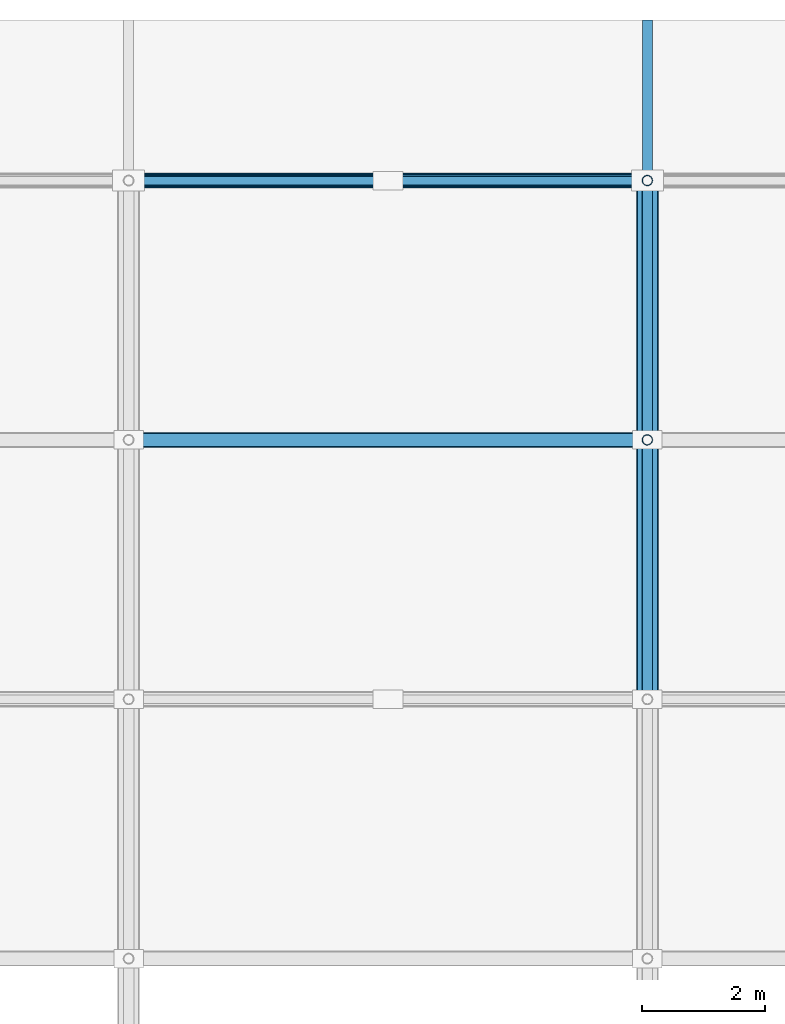
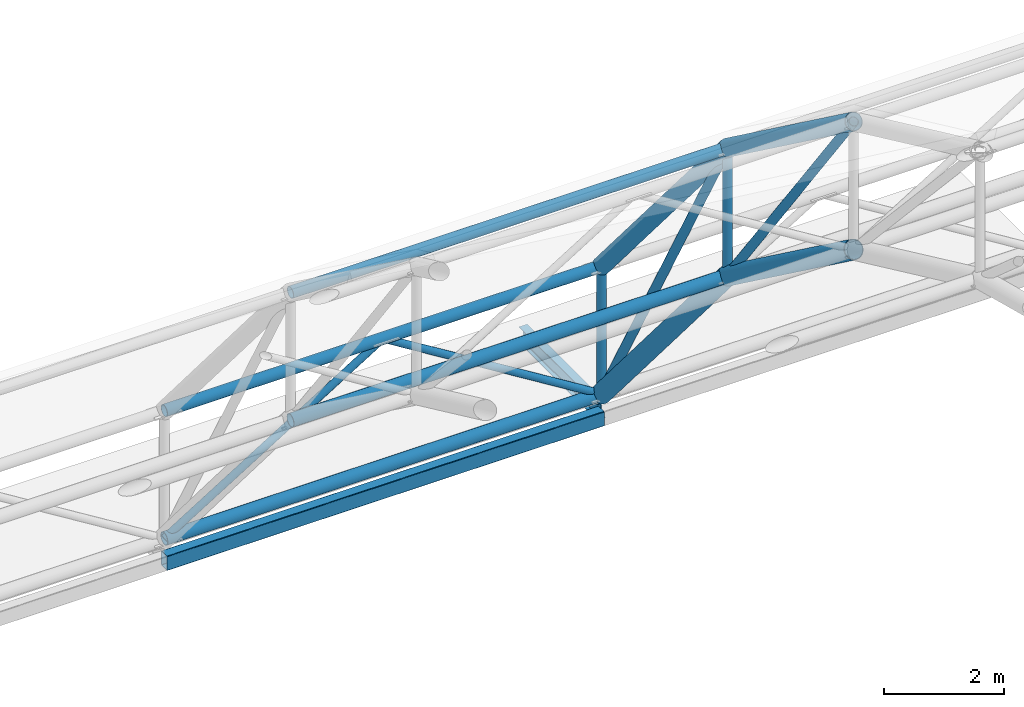
# One storey, part 51 of 103: 10 members, 6 beams.
"""IFC4 building model written with IfcOpenShell, lengths in metres."""

from ifc_helpers import new_model, si_unit, direction, frame, origin, origin_2d, place, context, subcontext, project, spatial, hollow_rectangle, hollow_circle, i_section, extrude, material, material_profile, profile_set, type_object, element, save


model = new_model("IFC4")

# Units and contexts
model_context = context("Model", 3, precision=1e-05, world=origin(), true_north=direction((0.0, 1.0)))
body_context = subcontext(model_context, "Body", "Model", "MODEL_VIEW")
ifc_project = project(units=[si_unit("LENGTHUNIT", "METRE"), si_unit("AREAUNIT", "SQUARE_METRE"), si_unit("VOLUMEUNIT", "CUBIC_METRE"), si_unit("PLANEANGLEUNIT", "RADIAN"), si_unit("MASSUNIT", "GRAM", prefix="KILO")], contexts=[model_context])

# Site, building, storey
site_placement = place(None, origin())
site = spatial("IfcSite", under=ifc_project, at=site_placement, CompositionType="ELEMENT")
building_placement = place(site_placement, origin())
building = spatial("IfcBuilding", under=site, at=building_placement, Name="Varnapada Polytechnic", CompositionType="ELEMENT")
storey_placement = place(building_placement, frame((0.0, 0.0, 18.0)))
storey = spatial("IfcBuildingStorey", under=building, at=storey_placement, Name="L04", CompositionType="ELEMENT", Elevation=18.0)

# Beam
ifc_material = material(Name="Steel S355", Category="steel")
ifc_material_profile_1 = material_profile(ifc_material, i_section(OverallWidth=0.159912109375, OverallDepth=0.330078125, WebThickness=0.007568359375, FlangeThickness=0.011474609375, FilletRadius=0.01806640625, at=origin_2d()), Name="IPE 330")
ifc_profile_set_1 = profile_set([ifc_material_profile_1], Name="Steel S355")
beam_type_1 = type_object("IfcBeamType", Name="Clerestory monitor steel rafter SB-07 (IPE 330)", PredefinedType="BEAM", material=ifc_profile_set_1)
beam_1_placement = place(storey_placement, frame((126.0, 126.0, -0.35009765625), z_axis=(0.0, 1.0, 0.0), x_axis=(-1.0, 0.0, 0.0)))
element("IfcBeam", 1, at=beam_1_placement, inside=storey, type_object=beam_type_1, Name="Workshop eave shade outlooker N.10", PredefinedType="BEAM", context=body_context, shape_type="SweptSolid", body=[
    extrude(i_section(OverallWidth=0.159912109375, OverallDepth=0.330078125, WebThickness=0.007568359375, FlangeThickness=0.011474609375, FilletRadius=0.01806640625, at=origin_2d()), origin(), (0.0, 0.0, 1.0), 2.60009765625),
])

# Members
ifc_material_profile_2 = material_profile(ifc_material, hollow_circle(Radius=0.122314453125, WallThickness=0.008056640625, at=origin_2d()), Name="CHS 244.5x8.0")
ifc_profile_set_2 = profile_set([ifc_material_profile_2], Name="Steel S355")
member_type_1 = type_object("IfcMemberType", Name="Vaulted space frame longitudinal bottom chord SFC-01 (CHS 244.5x8.0)", PredefinedType="CHORD", material=ifc_profile_set_2)
for number, where, z_axis, x_axis, name in (
    (2, (117.60009765625, 121.800048828125, 4.94921875), (1.0, 0.0, 0.0), (0.0, 1.0, 0.0), "Vaulted space frame longitudinal bottom chord 9.10"),
    (3, (117.60009765625, 126.0, 0.0), (1.0, 0.0, 0.0), (0.0, 1.0, 0.0), "Vaulted space frame longitudinal bottom chord 9.11"),
):
    element("IfcMember", number, at=place(storey_placement, frame(where, z_axis=z_axis, x_axis=x_axis)), inside=storey, type_object=member_type_1, Name=name, PredefinedType="CHORD", context=body_context, shape_type="SweptSolid", body=[
        extrude(hollow_circle(Radius=0.122314453125, WallThickness=0.008056640625, at=origin_2d()), origin(), (0.0, 0.0, 1.0), 8.39990234375),
    ])
ifc_material_profile_3 = material_profile(ifc_material, hollow_circle(Radius=0.109619140625, WallThickness=0.008056640625, at=origin_2d()), Name="CHS 219.1x8.0")
ifc_profile_set_3 = profile_set([ifc_material_profile_3], Name="Steel S355")
member_type_2 = type_object("IfcMemberType", Name="Vaulted space frame longitudinal top chord SFC-02 (CHS 219.1x8.0)", PredefinedType="CHORD", material=ifc_profile_set_3)
for number, where, z_axis, x_axis, name in (
    (4, (117.60009765625, 121.800048828125, 7.549072265625), (1.0, 0.0, 0.0), (0.0, 1.0, 0.0), "Vaulted space frame longitudinal top chord 9.10"),
    (5, (117.60009765625, 126.0, 2.60009765625), (1.0, 0.0, 0.0), (0.0, 1.0, 0.0), "Vaulted space frame longitudinal top chord 9.11"),
):
    element("IfcMember", number, at=place(storey_placement, frame(where, z_axis=z_axis, x_axis=x_axis)), inside=storey, type_object=member_type_2, Name=name, PredefinedType="CHORD", context=body_context, shape_type="SweptSolid", body=[
        extrude(hollow_circle(Radius=0.109619140625, WallThickness=0.008056640625, at=origin_2d()), origin(), (0.0, 0.0, 1.0), 8.39990234375),
    ])

# Beams
ifc_material_profile_4 = material_profile(ifc_material, hollow_circle(Radius=0.177734375, WallThickness=0.012451171875, at=origin_2d()), Name="CHS 355.6x12.5")
ifc_profile_set_4 = profile_set([ifc_material_profile_4], Name="Steel S355")
beam_type_2 = type_object("IfcBeamType", Name="Vaulted space frame primary arch rib VA-01 (CHS 355.6x12.5)", PredefinedType="BEAM", material=ifc_profile_set_4)
beam_2_placement = place(storey_placement, frame((126.0, 117.60009765625, 8.02783203125), z_axis=(0.0, 0.806528689778, -0.591194953095), x_axis=(-1.0, 0.0, 0.0)))
element("IfcBeam", 6, at=beam_2_placement, inside=storey, type_object=beam_type_2, Name="Vaulted space frame bottom arch chord 10.9", PredefinedType="BEAM", context=body_context, shape_type="SweptSolid", body=[
    extrude(hollow_circle(Radius=0.177734375, WallThickness=0.012451171875, at=origin_2d()), origin(), (0.0, 0.0, 1.0), 5.20751953125),
])
beam_3_placement = place(storey_placement, frame((126.0, 121.800048828125, 4.94921875), z_axis=(0.0, 0.647032448214, -0.762462465279), x_axis=(-1.0, 0.0, 0.0)))
element("IfcBeam", 7, at=beam_3_placement, inside=storey, type_object=beam_type_2, Name="Vaulted space frame bottom arch chord 10.10", PredefinedType="BEAM", context=body_context, shape_type="SweptSolid", body=[
    extrude(hollow_circle(Radius=0.177734375, WallThickness=0.012451171875, at=origin_2d()), origin(), (0.0, 0.0, 1.0), 6.4912109375),
])

# Members
ifc_material_profile_5 = material_profile(ifc_material, hollow_circle(Radius=0.084228515625, WallThickness=0.00634765625, at=origin_2d()), Name="CHS 168.3x6.3")
ifc_profile_set_5 = profile_set([ifc_material_profile_5], Name="Steel S355")
member_type_3 = type_object("IfcMemberType", Name="Vaulted space frame primary web diagonal SFB-01 (CHS 168.3x6.3)", PredefinedType="BRACE", material=ifc_profile_set_5)
member_1_placement = place(storey_placement, frame((126.0, 117.60009765625, 10.6279296875), z_axis=(0.0, 0.594633036041, -0.803997234105), x_axis=(-1.0, 0.0, 0.0)))
element("IfcMember", 8, at=member_1_placement, inside=storey, type_object=member_type_3, Name="Vaulted space frame web diagonal 10.9", PredefinedType="BRACE", context=body_context, shape_type="SweptSolid", body=[
    extrude(hollow_circle(Radius=0.084228515625, WallThickness=0.00634765625, at=origin_2d()), origin(), (0.0, 0.0, 1.0), 7.06298828125),
])
member_2_placement = place(storey_placement, frame((126.0, 121.800048828125, 7.549072265625), z_axis=(0.0, 0.486175535898, -0.873861172209), x_axis=(-1.0, 0.0, 0.0)))
element("IfcMember", 9, at=member_2_placement, inside=storey, type_object=member_type_3, Name="Vaulted space frame web diagonal 10.10", PredefinedType="BRACE", context=body_context, shape_type="SweptSolid", body=[
    extrude(hollow_circle(Radius=0.084228515625, WallThickness=0.00634765625, at=origin_2d()), origin(), (0.0, 0.0, 1.0), 8.638671875),
])
ifc_material_profile_6 = material_profile(ifc_material, hollow_circle(Radius=0.084228515625, WallThickness=0.00634765625, at=origin_2d()), Name="CHS 168.3x6.3")
ifc_profile_set_6 = profile_set([ifc_material_profile_6], Name="Steel S355")
member_type_4 = type_object("IfcMemberType", Name="Vaulted space frame radial web strut SFS-01 (CHS 168.3x6.3)", PredefinedType="STRUT", material=ifc_profile_set_6)
member_3_placement = place(storey_placement, frame((126.0, 121.800048828125, 4.94921875), z_axis=(0.0, 0.0, 1.0), x_axis=(1.0, 0.0, 0.0)))
element("IfcMember", 10, at=member_3_placement, inside=storey, type_object=member_type_4, Name="Vaulted space frame strut 10.10", PredefinedType="STRUT", context=body_context, shape_type="SweptSolid", body=[
    extrude(hollow_circle(Radius=0.084228515625, WallThickness=0.00634765625, at=origin_2d()), origin(), (0.0, 0.0, 1.0), 2.599853515625),
])
member_4_placement = place(storey_placement, frame((126.0, 126.0, 0.0), z_axis=(0.0, 0.0, 1.0), x_axis=(1.0, 0.0, 0.0)))
element("IfcMember", 11, at=member_4_placement, inside=storey, type_object=member_type_4, Name="Vaulted space frame strut 10.11", PredefinedType="STRUT", context=body_context, shape_type="SweptSolid", body=[
    extrude(hollow_circle(Radius=0.084228515625, WallThickness=0.00634765625, at=origin_2d()), origin(), (0.0, 0.0, 1.0), 2.60009765625),
])
ifc_material_profile_7 = material_profile(ifc_material, hollow_circle(Radius=0.06982421875, WallThickness=0.0048828125, at=origin_2d()), Name="CHS 139.7x5.0")
ifc_profile_set_7 = profile_set([ifc_material_profile_7], Name="Steel S355")
member_type_5 = type_object("IfcMemberType", Name="Vaulted space frame secondary web diagonal SFB-02 (CHS 139.7x5.0)", PredefinedType="BRACE", material=ifc_profile_set_7)
for number, where, z_axis, x_axis, name in (
    (12, (117.60009765625, 126.0, 0.0), (0.85025356003, 0.0, 0.526373331065), (0.0, 1.0, 0.0), "Vaulted space frame longitudinal brace 9.11A"),
    (13, (126.0, 126.0, 0.0), (-0.85025356003, 0.0, 0.526373331065), (0.0, -1.0, 0.0), "Vaulted space frame longitudinal brace 9.11B"),
):
    element("IfcMember", number, at=place(storey_placement, frame(where, z_axis=z_axis, x_axis=x_axis)), inside=storey, type_object=member_type_5, Name=name, PredefinedType="BRACE", context=body_context, shape_type="SweptSolid", body=[
        extrude(hollow_circle(Radius=0.06982421875, WallThickness=0.0048828125, at=origin_2d()), origin(), (0.0, 0.0, 1.0), 4.939697265625),
    ])

# Beams
ifc_material_profile_8 = material_profile(ifc_material, hollow_circle(Radius=0.161865234375, WallThickness=0.010009765625, at=origin_2d()), Name="CHS 323.9x10.0")
ifc_profile_set_8 = profile_set([ifc_material_profile_8], Name="Steel S355")
beam_type_3 = type_object("IfcBeamType", Name="Vaulted space frame upper arch rib VA-02 (CHS 323.9x10.0)", PredefinedType="BEAM", material=ifc_profile_set_8)
beam_4_placement = place(storey_placement, frame((126.0, 117.60009765625, 10.6279296875), z_axis=(0.0, 0.806506335259, -0.591225448698), x_axis=(-1.0, 0.0, 0.0)))
element("IfcBeam", 14, at=beam_4_placement, inside=storey, type_object=beam_type_3, Name="Vaulted space frame top arch chord 10.9", PredefinedType="BEAM", context=body_context, shape_type="SweptSolid", body=[
    extrude(hollow_circle(Radius=0.161865234375, WallThickness=0.010009765625, at=origin_2d()), origin(), (0.0, 0.0, 1.0), 5.20751953125),
])
beam_5_placement = place(storey_placement, frame((126.0, 121.800048828125, 7.549072265625), z_axis=(0.0, 0.647051003787, -0.762446718465), x_axis=(-1.0, 0.0, 0.0)))
element("IfcBeam", 15, at=beam_5_placement, inside=storey, type_object=beam_type_3, Name="Vaulted space frame top arch chord 10.10", PredefinedType="BEAM", context=body_context, shape_type="SweptSolid", body=[
    extrude(hollow_circle(Radius=0.161865234375, WallThickness=0.010009765625, at=origin_2d()), origin(), (0.0, 0.0, 1.0), 6.490966796875),
])
ifc_material_profile_9 = material_profile(ifc_material, hollow_rectangle(XDim=0.199951171875, YDim=0.300048828125, WallThickness=0.010009765625, InnerFilletRadius=0.010009765625, OuterFilletRadius=0.02001953125, at=origin_2d()), Name="RHS 300x200x10")
ifc_profile_set_9 = profile_set([ifc_material_profile_9], Name="Steel S355")
beam_type_4 = type_object("IfcBeamType", Name="Workshop steel spandrel tie SP-03 (RHS 300x200x10)", PredefinedType="SPANDREL", material=ifc_profile_set_9)
beam_6_placement = place(storey_placement, frame((117.60009765625, 126.0, -0.449951171875), z_axis=(1.0, 0.0, 0.0), x_axis=(0.0, 1.0, 0.0)))
element("IfcBeam", 16, at=beam_6_placement, inside=storey, type_object=beam_type_4, Name="L04 workshop clerestory tie X15-16 Y16", PredefinedType="SPANDREL", context=body_context, shape_type="SweptSolid", body=[
    extrude(hollow_rectangle(XDim=0.199951171875, YDim=0.300048828125, WallThickness=0.010009765625, InnerFilletRadius=0.010009765625, OuterFilletRadius=0.02001953125, at=origin_2d()), origin(), (0.0, 0.0, 1.0), 8.39990234375),
])

save(model, "model.ifc")
